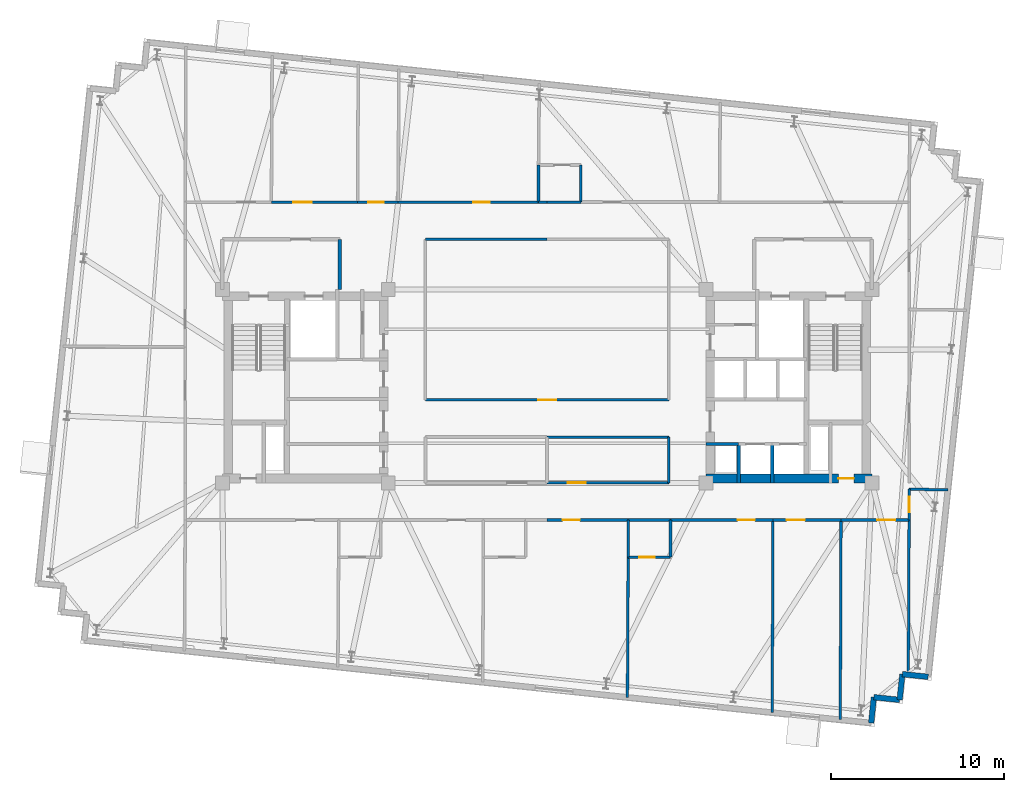
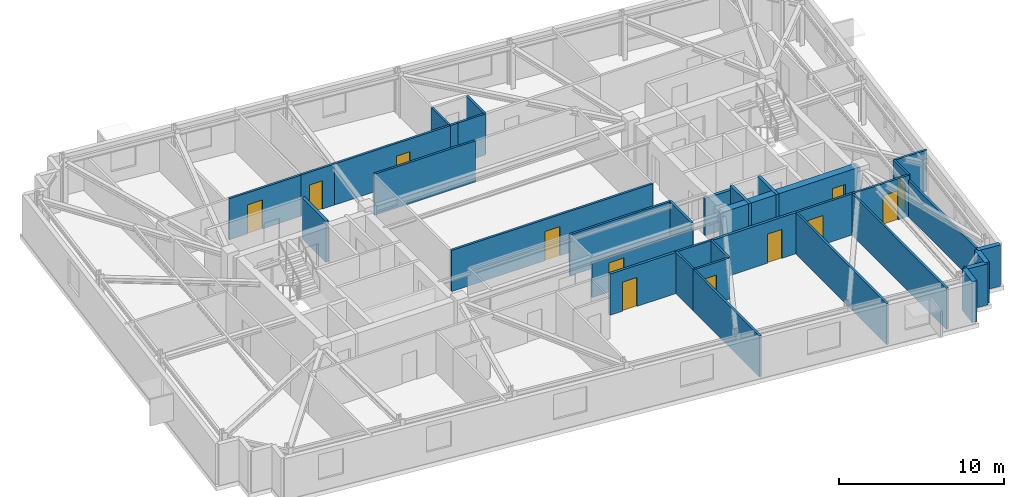
# One storey, part 7 of 11: 35 walls, 12 doors, 12 openings.
"""IFC4 building model written with IfcOpenShell, lengths in metres."""

from ifc_helpers import new_model, si_unit, direction, frame, frame_2d, origin, place, context, subcontext, project, spatial, rectangle, extrude, material, layer, layer_set, type_object, element, fill, save


model = new_model("IFC4")

# Units and contexts
model_context = context("Model", 3, precision=1e-05, world=origin(), true_north=direction((0.0, 1.0)))
body_context = subcontext(model_context, "Body", "Model", "MODEL_VIEW")
ifc_project = project(units=[si_unit("LENGTHUNIT", "METRE"), si_unit("AREAUNIT", "SQUARE_METRE"), si_unit("VOLUMEUNIT", "CUBIC_METRE"), si_unit("PLANEANGLEUNIT", "RADIAN"), si_unit("MASSUNIT", "GRAM", prefix="KILO")], contexts=[model_context])

# Site, building, storey
site_placement = place(None, origin())
site = spatial("IfcSite", under=ifc_project, at=site_placement, CompositionType="ELEMENT")
building_placement = place(site_placement, origin())
building = spatial("IfcBuilding", under=site, at=building_placement, Name="Qobustan Lattice House", CompositionType="ELEMENT")
storey_placement = place(building_placement, frame((0.0, 0.0, 193.050048828125)))
storey = spatial("IfcBuildingStorey", under=building, at=storey_placement, Name="L54", CompositionType="ELEMENT", Elevation=193.050048828125)

# Wall, opening, door
ifc_material_1 = material(Name="Concrete C50/60", Category="concrete")
ifc_layer_1 = layer(ifc_material_1, 0.5)
ifc_layer_set_1 = layer_set([ifc_layer_1], Name="Concrete C50/60")
wall_type_1 = type_object("IfcWallType", Name="WAL-CORE-500", PredefinedType="SHEAR", material=ifc_layer_set_1)
wall_1_placement = place(storey_placement, frame((9.199951171875, -5.35009765625, 0.0), z_axis=(0.0, 0.0, 1.0), x_axis=(1.0, 0.0, 0.0)))
wall_1 = element("IfcWall", 1, at=wall_1_placement, inside=storey, type_object=wall_type_1, Name="L54 split-core shear wall CE-S", PredefinedType="SHEAR", context=body_context, shape_type="SweptSolid", body=[
    extrude(rectangle(XDim=9.60009765625, YDim=0.5, at=frame_2d((4.800048828125, 0.0))), origin(), (0.0, 0.0, 1.0), 3.0400390625),
])
opening_1_placement = place(wall_1_placement, frame((7.64990234375, 0.0, 0.0)))
opening_1 = element("IfcOpeningElement", 2, at=opening_1_placement, cuts=wall_1, Name="Opening RD-01", PredefinedType="OPENING", context=body_context, shape_type="SweptSolid", body=[
    extrude(rectangle(XDim=0.89990234375, YDim=2.10009765625, at=frame_2d((0.449951171875, 1.050048828125))), frame((0.0, 0.260009765625, 0.0), z_axis=(0.0, -1.0, 0.0), x_axis=(1.0, 0.0, 0.0)), (0.0, 0.0, 1.0), 0.52001953125),
])
ifc_material_2 = material(Name="Persian walnut timber and steel frame door", Category="steel")
door_type_1 = type_object("IfcDoorType", Name="DOR-RISER-FD-900x2100", OperationType="NOTDEFINED", PredefinedType="DOOR", material=ifc_material_2)
door_1_placement = place(opening_1_placement, origin())
door_1 = element("IfcDoor", 3, at=door_1_placement, inside=storey, type_object=door_type_1, Name="L54 core service riser access door E", OperationType="SINGLE_SWING_RIGHT", OverallHeight=2.10009765625, OverallWidth=0.89990234375, PredefinedType="DOOR", context=body_context, shape_type="SweptSolid", body=[
    extrude(rectangle(XDim=0.89990234375, YDim=2.10009765625, at=frame_2d((0.449951171875, 1.050048828125))), frame((0.0, 0.02490234375, 0.0), z_axis=(0.0, -1.0, 0.0), x_axis=(1.0, 0.0, 0.0)), (0.0, 0.0, 1.0), 0.050048828125),
])
fill(opening_1, door_1)

# Walls
ifc_material_3 = material(Name="Precast concrete C40/50", Category="concrete")
ifc_layer_2 = layer(ifc_material_3, 0.320068359375)
ifc_layer_set_2 = layer_set([ifc_layer_2], Name="Precast concrete C40/50")
wall_type_2 = type_object("IfcWallType", Name="WAL-EXT-STONE-320", PredefinedType="SOLIDWALL", material=ifc_layer_set_2)
wall_2_placement = place(storey_placement, frame((22.052978515625, -16.828369140625, 0.0), z_axis=(0.0, 0.0, 1.0), x_axis=(-0.994526834051, 0.104481464157, 0.0)))
element("IfcWall", 4, at=wall_2_placement, inside=storey, type_object=wall_type_2, Name="L54 exterior limestone-clad wall 16", PredefinedType="SOLIDWALL", context=body_context, shape_type="SweptSolid", body=[
    extrude(rectangle(XDim=1.500244140625, YDim=0.320068359375, at=frame_2d((0.75, 0.0))), origin(), (0.0, 0.0, 1.0), 3.0400390625),
])
for number, where, z_axis, x_axis, name in (
    (5, (20.56103515625, -16.671630859375, 0.0), (0.0, 0.0, 1.0), (-0.104498377516, -0.994525057048, 0.0), "L54 exterior limestone-clad wall 17"),
    (6, (20.404296875, -18.163330078125, 0.0), (0.0, 0.0, 1.0), (-0.994525057048, 0.104498377516, 0.0), "L54 exterior limestone-clad wall 18"),
    (7, (18.91259765625, -18.006591796875, 0.0), (0.0, 0.0, 1.0), (-0.104498377516, -0.994525057048, 0.0), "L54 exterior limestone-clad wall 19"),
):
    element("IfcWall", number, at=place(storey_placement, frame(where, z_axis=z_axis, x_axis=x_axis)), inside=storey, type_object=wall_type_2, Name=name, PredefinedType="SOLIDWALL", context=body_context, shape_type="SweptSolid", body=[
        extrude(rectangle(XDim=1.5, YDim=0.320068359375, at=frame_2d((0.75, 0.0))), origin(), (0.0, 0.0, 1.0), 3.0400390625),
    ])

# Wall, opening, door
ifc_material_4 = material(Name="Gypsum fireboard acoustic partition", Category="gypsum")
ifc_layer_3 = layer(ifc_material_4, 0.179931640625)
ifc_layer_set_3 = layer_set([ifc_layer_3], Name="Gypsum fireboard acoustic partition")
wall_type_3 = type_object("IfcWallType", Name="WAL-FIRE-180", PredefinedType="PARTITIONING", material=ifc_layer_set_3)
wall_3_placement = place(storey_placement, frame((4.68994140625, -7.75, 0.0), z_axis=(0.0, 0.0, 1.0), x_axis=(-1.0, 0.0, 0.0)))
wall_3 = element("IfcWall", 8, at=wall_3_placement, inside=storey, type_object=wall_type_3, Name="L54 interior partition 54", PredefinedType="PARTITIONING", context=body_context, shape_type="SweptSolid", body=[
    extrude(rectangle(XDim=4.68994140625, YDim=0.179931640625, at=frame_2d((2.344970703125, 0.0))), origin(), (0.0, 0.0, 1.0), 3.0400390625),
])
opening_2_placement = place(wall_3_placement, frame((2.793701171875, 0.0, 0.0)))
opening_2 = element("IfcOpeningElement", 9, at=opening_2_placement, cuts=wall_3, Name="Opening FD-02", PredefinedType="OPENING", context=body_context, shape_type="SweptSolid", body=[
    extrude(rectangle(XDim=1.0, YDim=2.14990234375, at=frame_2d((0.5, 1.074951171875))), frame((0.0, 0.099853515625, 0.0), z_axis=(0.0, -1.0, 0.0), x_axis=(1.0, 0.0, 0.0)), (0.0, 0.0, 1.0), 0.199951171875),
])
ifc_material_5 = material(Name="Persian walnut timber and steel frame door", Category="steel")
door_type_2 = type_object("IfcDoorType", Name="DOR-UNIT-FD-1000x2150", OperationType="NOTDEFINED", PredefinedType="DOOR", material=ifc_material_5)
door_2_placement = place(opening_2_placement, origin())
door_2 = element("IfcDoor", 10, at=door_2_placement, inside=storey, type_object=door_type_2, Name="L54 South-east floor corridor to Kitchenette and studio apartment L54-S3 door", OperationType="SINGLE_SWING_LEFT", OverallHeight=2.14990234375, OverallWidth=1.0, PredefinedType="DOOR", context=body_context, shape_type="SweptSolid", body=[
    extrude(rectangle(XDim=1.0, YDim=2.14990234375, at=frame_2d((0.5, 1.074951171875))), frame((0.0, 0.02490234375, 0.0), z_axis=(0.0, -1.0, 0.0), x_axis=(1.0, 0.0, 0.0)), (0.0, 0.0, 1.0), 0.050048828125),
])
fill(opening_2, door_2)

wall_4_placement = place(storey_placement, frame((13.070068359375, -7.75, 0.0), z_axis=(0.0, 0.0, 1.0), x_axis=(-1.0, 0.0, 0.0)))
wall_4 = element("IfcWall", 11, at=wall_4_placement, inside=storey, type_object=wall_type_3, Name="L54 interior partition 55", PredefinedType="PARTITIONING", context=body_context, shape_type="SweptSolid", body=[
    extrude(rectangle(XDim=5.93017578125, YDim=0.179931640625, at=frame_2d((2.965087890625, 0.0))), origin(), (0.0, 0.0, 1.0), 3.0400390625),
])
opening_3_placement = place(wall_4_placement, frame((1.05126953125, 0.0, 0.0)))
opening_3 = element("IfcOpeningElement", 12, at=opening_3_placement, cuts=wall_4, Name="Opening FD-02", PredefinedType="OPENING", context=body_context, shape_type="SweptSolid", body=[
    extrude(rectangle(XDim=1.0, YDim=2.14990234375, at=frame_2d((0.5, 1.074951171875))), frame((0.0, 0.099853515625, 0.0), z_axis=(0.0, -1.0, 0.0), x_axis=(1.0, 0.0, 0.0)), (0.0, 0.0, 1.0), 0.199951171875),
])
door_3_placement = place(opening_3_placement, origin())
door_3 = element("IfcDoor", 13, at=door_3_placement, inside=storey, type_object=door_type_2, Name="L54 South-east floor corridor to Kitchenette and studio apartment L54-S4 door", OperationType="SINGLE_SWING_RIGHT", OverallHeight=2.14990234375, OverallWidth=1.0, PredefinedType="DOOR", context=body_context, shape_type="SweptSolid", body=[
    extrude(rectangle(XDim=1.0, YDim=2.14990234375, at=frame_2d((0.5, 1.074951171875))), frame((0.0, 0.02490234375, 0.0), z_axis=(0.0, -1.0, 0.0), x_axis=(1.0, 0.0, 0.0)), (0.0, 0.0, 1.0), 0.050048828125),
])
fill(opening_3, door_3)

ifc_material_6 = material(Name="Acoustic twin-stud gypsum partition", Category="gypsum")
ifc_layer_4 = layer(ifc_material_6, 0.14990234375)
ifc_layer_set_4 = layer_set([ifc_layer_4], Name="Acoustic twin-stud gypsum partition")
wall_type_4 = type_object("IfcWallType", Name="WAL-PART-150", PredefinedType="PARTITIONING", material=ifc_layer_set_4)
wall_5_placement = place(storey_placement, frame((-15.96240234375, 10.64990234375, 0.0), z_axis=(0.0, 0.0, 1.0), x_axis=(1.0, 0.0, 0.0)))
wall_5 = element("IfcWall", 14, at=wall_5_placement, inside=storey, type_object=wall_type_4, Name="L54 interior partition 36", PredefinedType="PARTITIONING", context=body_context, shape_type="SweptSolid", body=[
    extrude(rectangle(XDim=4.9873046875, YDim=0.14990234375, at=frame_2d((2.49365234375, 0.0))), origin(), (0.0, 0.0, 1.0), 3.0400390625),
])
opening_4_placement = place(wall_5_placement, frame((1.2744140625, 0.0, 0.0)))
opening_4 = element("IfcOpeningElement", 15, at=opening_4_placement, cuts=wall_5, Name="Opening ID-02", PredefinedType="OPENING", context=body_context, shape_type="SweptSolid", body=[
    extrude(rectangle(XDim=1.050048828125, YDim=2.14990234375, at=frame_2d((0.52490234375, 1.074951171875))), frame((0.0, 0.0849609375, 0.0), z_axis=(0.0, -1.0, 0.0), x_axis=(1.0, 0.0, 0.0)), (0.0, 0.0, 1.0), 0.169921875),
])
ifc_material_7 = material(Name="Persian walnut timber and steel frame door", Category="steel")
door_type_3 = type_object("IfcDoorType", Name="DOR-STUDY-1050x2150", OperationType="NOTDEFINED", PredefinedType="DOOR", material=ifc_material_7)
door_4_placement = place(opening_4_placement, origin())
door_4 = element("IfcDoor", 16, at=door_4_placement, inside=storey, type_object=door_type_3, Name="L54 North-west floor corridor to Focus study room N1B door", OperationType="SINGLE_SWING_RIGHT", OverallHeight=2.14990234375, OverallWidth=1.050048828125, PredefinedType="DOOR", context=body_context, shape_type="SweptSolid", body=[
    extrude(rectangle(XDim=1.050048828125, YDim=2.14990234375, at=frame_2d((0.52490234375, 1.074951171875))), frame((0.0, 0.02490234375, 0.0), z_axis=(0.0, -1.0, 0.0), x_axis=(1.0, 0.0, 0.0)), (0.0, 0.0, 1.0), 0.050048828125),
])
fill(opening_4, door_4)

wall_6_placement = place(storey_placement, frame((-8.625, 10.64990234375, 0.0), z_axis=(0.0, 0.0, 1.0), x_axis=(1.0, 0.0, 0.0)))
wall_6 = element("IfcWall", 17, at=wall_6_placement, inside=storey, type_object=wall_type_4, Name="L54 interior partition 38", PredefinedType="PARTITIONING", context=body_context, shape_type="SweptSolid", body=[
    extrude(rectangle(XDim=8.125, YDim=0.14990234375, at=frame_2d((4.0625, 0.0))), origin(), (0.0, 0.0, 1.0), 3.0400390625),
])
opening_5_placement = place(wall_6_placement, frame((4.33935546875, 0.0, 0.0)))
opening_5 = element("IfcOpeningElement", 18, at=opening_5_placement, cuts=wall_6, Name="Opening ID-01", PredefinedType="OPENING", context=body_context, shape_type="SweptSolid", body=[
    extrude(rectangle(XDim=0.949951171875, YDim=2.10009765625, at=frame_2d((0.47509765625, 1.050048828125))), frame((0.0, 0.0849609375, 0.0), z_axis=(0.0, -1.0, 0.0), x_axis=(1.0, 0.0, 0.0)), (0.0, 0.0, 1.0), 0.169921875),
])
ifc_material_8 = material(Name="Persian walnut timber and steel frame door", Category="steel")
door_type_4 = type_object("IfcDoorType", Name="DOR-ROOM-950x2100", OperationType="NOTDEFINED", PredefinedType="DOOR", material=ifc_material_8)
door_5_placement = place(opening_5_placement, origin())
door_5 = element("IfcDoor", 19, at=door_5_placement, inside=storey, type_object=door_type_4, Name="L54 North-west floor corridor to Laundry utility room door", OperationType="SINGLE_SWING_RIGHT", OverallHeight=2.10009765625, OverallWidth=0.949951171875, PredefinedType="DOOR", context=body_context, shape_type="SweptSolid", body=[
    extrude(rectangle(XDim=0.949951171875, YDim=2.10009765625, at=frame_2d((0.47509765625, 1.050048828125))), frame((0.0, 0.02490234375, 0.0), z_axis=(0.0, -1.0, 0.0), x_axis=(1.0, 0.0, 0.0)), (0.0, 0.0, 1.0), 0.050048828125),
])
fill(opening_5, door_5)

# Wall
wall_7_placement = place(storey_placement, frame((0.0, 8.5, 0.0), z_axis=(0.0, 0.0, 1.0), x_axis=(-1.0, 0.0, 0.0)))
element("IfcWall", 20, at=wall_7_placement, inside=storey, type_object=wall_type_4, Name="L54 interior partition 40", PredefinedType="PARTITIONING", context=body_context, shape_type="SweptSolid", body=[
    extrude(rectangle(XDim=7.050048828125, YDim=0.14990234375, at=frame_2d((3.52490234375, 0.0))), origin(), (0.0, 0.0, 1.0), 3.0400390625),
])

# Wall, opening, door
wall_8_placement = place(storey_placement, frame((20.949951171875, -5.964111328125, 0.0), z_axis=(0.0, 0.0, 1.0), x_axis=(0.0, -1.0, 0.0)))
wall_8 = element("IfcWall", 21, at=wall_8_placement, inside=storey, type_object=wall_type_4, Name="L54 interior partition 53", PredefinedType="PARTITIONING", context=body_context, shape_type="SweptSolid", body=[
    extrude(rectangle(XDim=1.785888671875, YDim=0.14990234375, at=frame_2d((0.89306640625, 0.0))), origin(), (0.0, 0.0, 1.0), 3.0400390625),
])
opening_6_placement = place(wall_8_placement, frame((0.443115234375, 0.0, 0.0)))
opening_6 = element("IfcOpeningElement", 22, at=opening_6_placement, cuts=wall_8, Name="Opening WD-01", PredefinedType="OPENING", context=body_context, shape_type="SweptSolid", body=[
    extrude(rectangle(XDim=0.89990234375, YDim=2.10009765625, at=frame_2d((0.449951171875, 1.050048828125))), frame((0.0, 0.0849609375, 0.0), z_axis=(0.0, -1.0, 0.0), x_axis=(1.0, 0.0, 0.0)), (0.0, 0.0, 1.0), 0.169921875),
])
ifc_material_9 = material(Name="Persian walnut timber and steel frame door", Category="steel")
door_type_5 = type_object("IfcDoorType", Name="DOR-WET-900x2100", OperationType="NOTDEFINED", PredefinedType="DOOR", material=ifc_material_9)
door_6_placement = place(opening_6_placement, origin())
door_6 = element("IfcDoor", 23, at=door_6_placement, inside=storey, type_object=door_type_5, Name="L54 South-east floor corridor to Focus study room E1 door", OperationType="SINGLE_SWING_RIGHT", OverallHeight=2.10009765625, OverallWidth=0.89990234375, PredefinedType="DOOR", context=body_context, shape_type="SweptSolid", body=[
    extrude(rectangle(XDim=0.89990234375, YDim=2.10009765625, at=frame_2d((0.449951171875, 1.050048828125))), frame((0.0, 0.02490234375, 0.0), z_axis=(0.0, -1.0, 0.0), x_axis=(1.0, 0.0, 0.0)), (0.0, 0.0, 1.0), 0.050048828125),
])
fill(opening_6, door_6)

wall_9_placement = place(storey_placement, frame((17.010009765625, -7.75, 0.0), z_axis=(0.0, 0.0, 1.0), x_axis=(-1.0, 0.0, 0.0)))
wall_9 = element("IfcWall", 24, at=wall_9_placement, inside=storey, type_object=wall_type_4, Name="L54 interior partition 57", PredefinedType="PARTITIONING", context=body_context, shape_type="SweptSolid", body=[
    extrude(rectangle(XDim=3.93994140625, YDim=0.14990234375, at=frame_2d((1.969970703125, 0.0))), origin(), (0.0, 0.0, 1.0), 3.0400390625),
])
opening_7_placement = place(wall_9_placement, frame((2.09375, 0.0, 0.0)))
opening_7 = element("IfcOpeningElement", 25, at=opening_7_placement, cuts=wall_9, Name="Opening ID-02", PredefinedType="OPENING", context=body_context, shape_type="SweptSolid", body=[
    extrude(rectangle(XDim=1.050048828125, YDim=2.14990234375, at=frame_2d((0.52490234375, 1.074951171875))), frame((0.0, 0.0849609375, 0.0), z_axis=(0.0, -1.0, 0.0), x_axis=(1.0, 0.0, 0.0)), (0.0, 0.0, 1.0), 0.169921875),
])
door_7_placement = place(opening_7_placement, origin())
door_7 = element("IfcDoor", 26, at=door_7_placement, inside=storey, type_object=door_type_3, Name="L54 South-east floor corridor to Group study room door", OperationType="SINGLE_SWING_LEFT", OverallHeight=2.14990234375, OverallWidth=1.050048828125, PredefinedType="DOOR", context=body_context, shape_type="SweptSolid", body=[
    extrude(rectangle(XDim=1.050048828125, YDim=2.14990234375, at=frame_2d((0.52490234375, 1.074951171875))), frame((0.0, 0.02490234375, 0.0), z_axis=(0.0, -1.0, 0.0), x_axis=(1.0, 0.0, 0.0)), (0.0, 0.0, 1.0), 0.050048828125),
])
fill(opening_7, door_7)

wall_10_placement = place(storey_placement, frame((20.949951171875, -7.75, 0.0), z_axis=(0.0, 0.0, 1.0), x_axis=(-1.0, 0.0, 0.0)))
wall_10 = element("IfcWall", 27, at=wall_10_placement, inside=storey, type_object=wall_type_4, Name="L54 interior partition 58", PredefinedType="PARTITIONING", context=body_context, shape_type="SweptSolid", body=[
    extrude(rectangle(XDim=3.93994140625, YDim=0.14990234375, at=frame_2d((1.969970703125, 0.0))), origin(), (0.0, 0.0, 1.0), 3.0400390625),
])
opening_8_placement = place(wall_10_placement, frame((0.796142578125, 0.0, 0.0)))
opening_8 = element("IfcOpeningElement", 28, at=opening_8_placement, cuts=wall_10, Name="Opening ID-02", PredefinedType="OPENING", context=body_context, shape_type="SweptSolid", body=[
    extrude(rectangle(XDim=1.050048828125, YDim=2.14990234375, at=frame_2d((0.52490234375, 1.074951171875))), frame((0.0, 0.0849609375, 0.0), z_axis=(0.0, -1.0, 0.0), x_axis=(1.0, 0.0, 0.0)), (0.0, 0.0, 1.0), 0.169921875),
])
door_8_placement = place(opening_8_placement, origin())
door_8 = element("IfcDoor", 29, at=door_8_placement, inside=storey, type_object=door_type_3, Name="L54 South-east floor corridor to Academic seminar room door", OperationType="SINGLE_SWING_RIGHT", OverallHeight=2.14990234375, OverallWidth=1.050048828125, PredefinedType="DOOR", context=body_context, shape_type="SweptSolid", body=[
    extrude(rectangle(XDim=1.050048828125, YDim=2.14990234375, at=frame_2d((0.52490234375, 1.074951171875))), frame((0.0, 0.02490234375, 0.0), z_axis=(0.0, -1.0, 0.0), x_axis=(1.0, 0.0, 0.0)), (0.0, 0.0, 1.0), 0.050048828125),
])
fill(opening_8, door_8)

wall_11_placement = place(storey_placement, frame((0.0, -5.60009765625, 0.0), z_axis=(0.0, 0.0, 1.0), x_axis=(1.0, 0.0, 0.0)))
wall_11 = element("IfcWall", 30, at=wall_11_placement, inside=storey, type_object=wall_type_4, Name="L54 interior partition 59", PredefinedType="PARTITIONING", context=body_context, shape_type="SweptSolid", body=[
    extrude(rectangle(XDim=7.050048828125, YDim=0.14990234375, at=frame_2d((3.52490234375, 0.0))), origin(), (0.0, 0.0, 1.0), 2.52490234375),
])
opening_9_placement = place(wall_11_placement, frame((1.18505859375, 0.0, 0.0)))
opening_9 = element("IfcOpeningElement", 31, at=opening_9_placement, cuts=wall_11, Name="Opening ID-02", PredefinedType="OPENING", context=body_context, shape_type="SweptSolid", body=[
    extrude(rectangle(XDim=1.050048828125, YDim=2.14990234375, at=frame_2d((0.52490234375, 1.074951171875))), frame((0.0, 0.0849609375, 0.0), z_axis=(0.0, -1.0, 0.0), x_axis=(1.0, 0.0, 0.0)), (0.0, 0.0, 1.0), 0.169921875),
])
door_9_placement = place(opening_9_placement, origin())
door_9 = element("IfcDoor", 32, at=door_9_placement, inside=storey, type_object=door_type_3, Name="L54 South-east floor corridor to Silent study room door", OperationType="SINGLE_SWING_LEFT", OverallHeight=2.14990234375, OverallWidth=1.050048828125, PredefinedType="DOOR", context=body_context, shape_type="SweptSolid", body=[
    extrude(rectangle(XDim=1.050048828125, YDim=2.14990234375, at=frame_2d((0.52490234375, 1.074951171875))), frame((0.0, 0.02490234375, 0.0), z_axis=(0.0, -1.0, 0.0), x_axis=(1.0, 0.0, 0.0)), (0.0, 0.0, 1.0), 0.050048828125),
])
fill(opening_9, door_9)

wall_12_placement = place(storey_placement, frame((-7.050048828125, -0.800048828125, 0.0), z_axis=(0.0, 0.0, 1.0), x_axis=(1.0, 0.0, 0.0)))
wall_12 = element("IfcWall", 33, at=wall_12_placement, inside=storey, type_object=wall_type_4, Name="L54 interior partition 64", PredefinedType="PARTITIONING", context=body_context, shape_type="SweptSolid", body=[
    extrude(rectangle(XDim=14.10009765625, YDim=0.14990234375, at=frame_2d((7.050048828125, 0.0))), origin(), (0.0, 0.0, 1.0), 3.0400390625),
])
opening_10_placement = place(wall_12_placement, frame((6.52490234375, 0.0, 0.0)))
opening_10 = element("IfcOpeningElement", 34, at=opening_10_placement, cuts=wall_12, Name="Opening ID-02", PredefinedType="OPENING", context=body_context, shape_type="SweptSolid", body=[
    extrude(rectangle(XDim=1.050048828125, YDim=2.14990234375, at=frame_2d((0.52490234375, 1.074951171875))), frame((0.0, 0.0849609375, 0.0), z_axis=(0.0, -1.0, 0.0), x_axis=(1.0, 0.0, 0.0)), (0.0, 0.0, 1.0), 0.169921875),
])
door_10_placement = place(opening_10_placement, origin())
door_10 = element("IfcDoor", 35, at=door_10_placement, inside=storey, type_object=door_type_3, Name="L54 Central spine corridor to Academic seminar commons door", OperationType="SINGLE_SWING_RIGHT", OverallHeight=2.14990234375, OverallWidth=1.050048828125, PredefinedType="DOOR", context=body_context, shape_type="SweptSolid", body=[
    extrude(rectangle(XDim=1.050048828125, YDim=2.14990234375, at=frame_2d((0.52490234375, 1.074951171875))), frame((0.0, 0.02490234375, 0.0), z_axis=(0.0, -1.0, 0.0), x_axis=(1.0, 0.0, 0.0)), (0.0, 0.0, 1.0), 0.050048828125),
])
fill(opening_10, door_10)

# Walls
wall_13_placement = place(storey_placement, frame((7.050048828125, -2.949951171875, 0.0), z_axis=(0.0, 0.0, 1.0), x_axis=(-1.0, 0.0, 0.0)))
element("IfcWall", 36, at=wall_13_placement, inside=storey, type_object=wall_type_4, Name="L54 interior partition 66", PredefinedType="PARTITIONING", context=body_context, shape_type="SweptSolid", body=[
    extrude(rectangle(XDim=7.050048828125, YDim=0.14990234375, at=frame_2d((3.52490234375, 0.0))), origin(), (0.0, 0.0, 1.0), 3.0400390625),
])
wall_14_placement = place(storey_placement, frame((7.050048828125, -5.60009765625, 0.0), z_axis=(0.0, 0.0, 1.0), x_axis=(0.0, 1.0, 0.0)))
element("IfcWall", 37, at=wall_14_placement, inside=storey, type_object=wall_type_4, Name="L54 interior partition 70", PredefinedType="PARTITIONING", context=body_context, shape_type="SweptSolid", body=[
    extrude(rectangle(XDim=2.650146484375, YDim=0.14990234375, at=frame_2d((1.3251953125, 0.0))), origin(), (0.0, 0.0, 1.0), 3.0400390625),
])
wall_15_placement = place(storey_placement, frame((20.949951171875, -5.964111328125, 0.0), z_axis=(0.0, 0.0, 1.0), x_axis=(0.999809784752, -0.019503700029, 0.0)))
element("IfcWall", 38, at=wall_15_placement, inside=storey, type_object=wall_type_4, Name="L54 interior partition 74", PredefinedType="PARTITIONING", context=body_context, shape_type="SweptSolid", body=[
    extrude(rectangle(XDim=2.24072265625, YDim=0.14990234375, at=frame_2d((1.120361328125, 0.0))), origin(), (0.0, 0.0, 1.0), 3.0400390625),
])
wall_16_placement = place(storey_placement, frame((20.906005859375, -16.7080078125, 0.0), z_axis=(0.0, 0.0, 1.0), x_axis=(0.004905642486, 0.999987967264, 0.0)))
element("IfcWall", 39, at=wall_16_placement, inside=storey, type_object=wall_type_4, Name="L54 interior partition 75", PredefinedType="PARTITIONING", context=body_context, shape_type="SweptSolid", body=[
    extrude(rectangle(XDim=8.9580078125, YDim=0.14990234375, at=frame_2d((4.47900390625, 0.0))), origin(), (0.0, 0.0, 1.0), 2.6650390625),
])
wall_17_placement = place(storey_placement, frame((4.68994140625, -9.89990234375, 0.0), z_axis=(0.0, 0.0, 1.0), x_axis=(-0.005414920161, -0.999985339212, 0.0)))
element("IfcWall", 40, at=wall_17_placement, inside=storey, type_object=wall_type_4, Name="L54 interior partition 94", PredefinedType="PARTITIONING", context=body_context, shape_type="SweptSolid", body=[
    extrude(rectangle(XDim=8.115478515625, YDim=0.14990234375, at=frame_2d((4.0576171875, 0.0))), origin(), (0.0, 0.0, 1.0), 3.0400390625),
])
wall_18_placement = place(storey_placement, frame((13.070068359375, -7.75, 0.0), z_axis=(0.0, 0.0, 1.0), x_axis=(-0.003942582434, -0.999992227992, 0.0)))
element("IfcWall", 41, at=wall_18_placement, inside=storey, type_object=wall_type_4, Name="L54 interior partition 98", PredefinedType="PARTITIONING", context=body_context, shape_type="SweptSolid", body=[
    extrude(rectangle(XDim=11.146240234375, YDim=0.14990234375, at=frame_2d((5.5732421875, 0.0))), origin(), (0.0, 0.0, 1.0), 3.0400390625),
])
wall_19_placement = place(storey_placement, frame((17.010009765625, -7.75, 0.0), z_axis=(0.0, 0.0, 1.0), x_axis=(-0.003801370604, -0.999992774765, 0.0)))
element("IfcWall", 42, at=wall_19_placement, inside=storey, type_object=wall_type_4, Name="L54 interior partition 99", PredefinedType="PARTITIONING", context=body_context, shape_type="SweptSolid", body=[
    extrude(rectangle(XDim=11.560302734375, YDim=0.14990234375, at=frame_2d((5.7802734375, 0.0))), origin(), (0.0, 0.0, 1.0), 3.0400390625),
])
ifc_material_10 = material(Name="Two-hour gypsum fireboard acoustic partition", Category="gypsum")
ifc_layer_5 = layer(ifc_material_10, 0.199951171875)
ifc_layer_set_5 = layer_set([ifc_layer_5], Name="Two-hour gypsum fireboard acoustic partition")
wall_type_5 = type_object("IfcWallType", Name="WAL-PROT-200", PredefinedType="PARTITIONING", material=ifc_layer_set_5)
wall_20_placement = place(storey_placement, frame((-12.0, 5.60009765625, 0.0), z_axis=(0.0, 0.0, 1.0), x_axis=(0.0, 1.0, 0.0)))
element("IfcWall", 43, at=wall_20_placement, inside=storey, type_object=wall_type_5, Name="L54 interior partition 5", PredefinedType="PARTITIONING", context=body_context, shape_type="SweptSolid", body=[
    extrude(rectangle(XDim=2.89990234375, YDim=0.199951171875, at=frame_2d((1.449951171875, 0.0))), origin(), (0.0, 0.0, 1.0), 3.0400390625),
])
ifc_material_11 = material(Name="Concrete C40/50", Category="concrete")
ifc_layer_6 = layer(ifc_material_11, 0.199951171875)
ifc_layer_set_6 = layer_set([ifc_layer_6], Name="Concrete C40/50")
wall_type_6 = type_object("IfcWallType", Name="WAL-SHAFT-200", PredefinedType="PARTITIONING", material=ifc_layer_set_6)
wall_21_placement = place(storey_placement, frame((9.199951171875, -3.35009765625, 0.0), z_axis=(0.0, 0.0, 1.0), x_axis=(1.0, 0.0, 0.0)))
element("IfcWall", 44, at=wall_21_placement, inside=storey, type_object=wall_type_6, Name="L54 interior partition 23", PredefinedType="PARTITIONING", context=body_context, shape_type="SweptSolid", body=[
    extrude(rectangle(XDim=1.880126953125, YDim=0.199951171875, at=frame_2d((0.93994140625, 0.0))), origin(), (0.0, 0.0, 1.0), 2.7548828125),
])
for number, where, z_axis, x_axis, name in (
    (45, (11.080078125, -5.60009765625, 0.0), (0.0, 0.0, 1.0), (0.0, 1.0, 0.0), "L54 interior partition 30"),
    (46, (13.02001953125, -5.60009765625, 0.0), (0.0, 0.0, 1.0), (0.0, 1.0, 0.0), "L54 interior partition 31"),
):
    element("IfcWall", number, at=place(storey_placement, frame(where, z_axis=z_axis, x_axis=x_axis)), inside=storey, type_object=wall_type_6, Name=name, PredefinedType="PARTITIONING", context=body_context, shape_type="SweptSolid", body=[
        extrude(rectangle(XDim=2.25, YDim=0.199951171875, at=frame_2d((1.125, 0.0))), origin(), (0.0, 0.0, 1.0), 3.0400390625),
    ])

# Wall, opening, door
ifc_material_12 = material(Name="Moisture-resistant acoustic plumbing wall", Category="gypsum")
ifc_layer_7 = layer(ifc_material_12, 0.14990234375)
ifc_layer_set_7 = layer_set([ifc_layer_7], Name="Moisture-resistant acoustic plumbing wall")
wall_type_7 = type_object("IfcWallType", Name="WAL-WET-150", PredefinedType="PLUMBINGWALL", material=ifc_layer_set_7)
wall_22_placement = place(storey_placement, frame((-10.97509765625, 10.64990234375, 0.0), z_axis=(0.0, 0.0, 1.0), x_axis=(1.0, 0.0, 0.0)))
wall_22 = element("IfcWall", 47, at=wall_22_placement, inside=storey, type_object=wall_type_7, Name="L54 interior partition 37", PredefinedType="PLUMBINGWALL", context=body_context, shape_type="SweptSolid", body=[
    extrude(rectangle(XDim=2.35009765625, YDim=0.14990234375, at=frame_2d((1.175048828125, 0.0))), origin(), (0.0, 0.0, 1.0), 3.0400390625),
])
opening_11_placement = place(wall_22_placement, frame((0.6162109375, 0.0, 0.0)))
opening_11 = element("IfcOpeningElement", 48, at=opening_11_placement, cuts=wall_22, Name="Opening WD-01", PredefinedType="OPENING", context=body_context, shape_type="SweptSolid", body=[
    extrude(rectangle(XDim=0.89990234375, YDim=2.10009765625, at=frame_2d((0.449951171875, 1.050048828125))), frame((0.0, 0.0849609375, 0.0), z_axis=(0.0, -1.0, 0.0), x_axis=(1.0, 0.0, 0.0)), (0.0, 0.0, 1.0), 0.169921875),
])
door_11_placement = place(opening_11_placement, origin())
door_11 = element("IfcDoor", 49, at=door_11_placement, inside=storey, type_object=door_type_5, Name="L54 North-west floor corridor to Accessible WC door", OperationType="SINGLE_SWING_LEFT", OverallHeight=2.10009765625, OverallWidth=0.89990234375, PredefinedType="DOOR", context=body_context, shape_type="SweptSolid", body=[
    extrude(rectangle(XDim=0.89990234375, YDim=2.10009765625, at=frame_2d((0.449951171875, 1.050048828125))), frame((0.0, 0.02490234375, 0.0), z_axis=(0.0, -1.0, 0.0), x_axis=(1.0, 0.0, 0.0)), (0.0, 0.0, 1.0), 0.050048828125),
])
fill(opening_11, door_11)

# Walls
wall_23_placement = place(storey_placement, frame((-0.5, 10.64990234375, 0.0), z_axis=(0.0, 0.0, 1.0), x_axis=(1.0, 0.0, 0.0)))
element("IfcWall", 50, at=wall_23_placement, inside=storey, type_object=wall_type_7, Name="L54 interior partition 39", PredefinedType="PLUMBINGWALL", context=body_context, shape_type="SweptSolid", body=[
    extrude(rectangle(XDim=0.5, YDim=0.14990234375, at=frame_2d((0.25, 0.0))), origin(), (0.0, 0.0, 1.0), 3.0400390625),
])
wall_24_placement = place(storey_placement, frame((0.0, 10.64990234375, 0.0), z_axis=(0.0, 0.0, 1.0), x_axis=(1.0, 0.0, 0.0)))
element("IfcWall", 51, at=wall_24_placement, inside=storey, type_object=wall_type_7, Name="L54 interior partition 43", PredefinedType="PLUMBINGWALL", context=body_context, shape_type="SweptSolid", body=[
    extrude(rectangle(XDim=1.949951171875, YDim=0.14990234375, at=frame_2d((0.97509765625, 0.0))), origin(), (0.0, 0.0, 1.0), 3.0400390625),
])
wall_25_placement = place(storey_placement, frame((7.139892578125, -7.75, 0.0), z_axis=(0.0, 0.0, 1.0), x_axis=(-1.0, 0.0, 0.0)))
element("IfcWall", 52, at=wall_25_placement, inside=storey, type_object=wall_type_7, Name="L54 interior partition 56", PredefinedType="PLUMBINGWALL", context=body_context, shape_type="SweptSolid", body=[
    extrude(rectangle(XDim=2.449951171875, YDim=0.14990234375, at=frame_2d((1.22509765625, 0.0))), origin(), (0.0, 0.0, 1.0), 3.0400390625),
])
for number, where, z_axis, x_axis, name in (
    (53, (-0.5, 12.800048828125, 0.0), (0.0, 0.0, 1.0), (0.0, -1.0, 0.0), "L54 interior partition 82"),
    (54, (1.949951171875, 10.64990234375, 0.0), (0.0, 0.0, 1.0), (0.0, 1.0, 0.0), "L54 interior partition 84"),
):
    element("IfcWall", number, at=place(storey_placement, frame(where, z_axis=z_axis, x_axis=x_axis)), inside=storey, type_object=wall_type_7, Name=name, PredefinedType="PLUMBINGWALL", context=body_context, shape_type="SweptSolid", body=[
        extrude(rectangle(XDim=2.150146484375, YDim=0.14990234375, at=frame_2d((1.0751953125, 0.0))), origin(), (0.0, 0.0, 1.0), 3.0400390625),
    ])
wall_26_placement = place(storey_placement, frame((4.68994140625, -7.75, 0.0), z_axis=(0.0, 0.0, 1.0), x_axis=(0.0, -1.0, 0.0)))
element("IfcWall", 55, at=wall_26_placement, inside=storey, type_object=wall_type_7, Name="L54 interior partition 95", PredefinedType="PLUMBINGWALL", context=body_context, shape_type="SweptSolid", body=[
    extrude(rectangle(XDim=2.14990234375, YDim=0.14990234375, at=frame_2d((1.074951171875, 0.0))), origin(), (0.0, 0.0, 1.0), 3.0400390625),
])

# Wall, opening, door
wall_27_placement = place(storey_placement, frame((4.68994140625, -9.89990234375, 0.0), z_axis=(0.0, 0.0, 1.0), x_axis=(1.0, 0.0, 0.0)))
wall_27 = element("IfcWall", 56, at=wall_27_placement, inside=storey, type_object=wall_type_7, Name="L54 interior partition 96", PredefinedType="PLUMBINGWALL", context=body_context, shape_type="SweptSolid", body=[
    extrude(rectangle(XDim=2.449951171875, YDim=0.14990234375, at=frame_2d((1.22509765625, 0.0))), origin(), (0.0, 0.0, 1.0), 3.0400390625),
])
opening_12_placement = place(wall_27_placement, frame((0.628662109375, 0.0, 0.0)))
opening_12 = element("IfcOpeningElement", 57, at=opening_12_placement, cuts=wall_27, Name="Opening WD-01", PredefinedType="OPENING", context=body_context, shape_type="SweptSolid", body=[
    extrude(rectangle(XDim=0.89990234375, YDim=2.10009765625, at=frame_2d((0.449951171875, 1.050048828125))), frame((0.0, 0.0849609375, 0.0), z_axis=(0.0, -1.0, 0.0), x_axis=(1.0, 0.0, 0.0)), (0.0, 0.0, 1.0), 0.169921875),
])
door_12_placement = place(opening_12_placement, origin())
door_12 = element("IfcDoor", 58, at=door_12_placement, inside=storey, type_object=door_type_5, Name="L54 Kitchenette and studio apartment L54-S4 to En-suite bathroom L54-S4 door", OperationType="SINGLE_SWING_RIGHT", OverallHeight=2.10009765625, OverallWidth=0.89990234375, PredefinedType="DOOR", context=body_context, shape_type="SweptSolid", body=[
    extrude(rectangle(XDim=0.89990234375, YDim=2.10009765625, at=frame_2d((0.449951171875, 1.050048828125))), frame((0.0, 0.02490234375, 0.0), z_axis=(0.0, -1.0, 0.0), x_axis=(1.0, 0.0, 0.0)), (0.0, 0.0, 1.0), 0.050048828125),
])
fill(opening_12, door_12)

# Wall
wall_28_placement = place(storey_placement, frame((7.139892578125, -9.89990234375, 0.0), z_axis=(0.0, 0.0, 1.0), x_axis=(0.0, 1.0, 0.0)))
element("IfcWall", 59, at=wall_28_placement, inside=storey, type_object=wall_type_7, Name="L54 interior partition 97", PredefinedType="PLUMBINGWALL", context=body_context, shape_type="SweptSolid", body=[
    extrude(rectangle(XDim=2.14990234375, YDim=0.14990234375, at=frame_2d((1.074951171875, 0.0))), origin(), (0.0, 0.0, 1.0), 3.0400390625),
])

save(model, "model.ifc")
